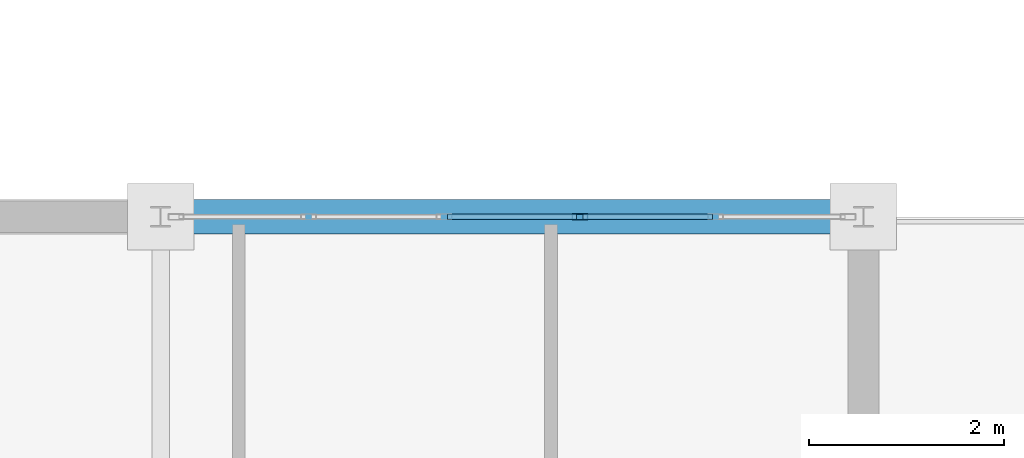
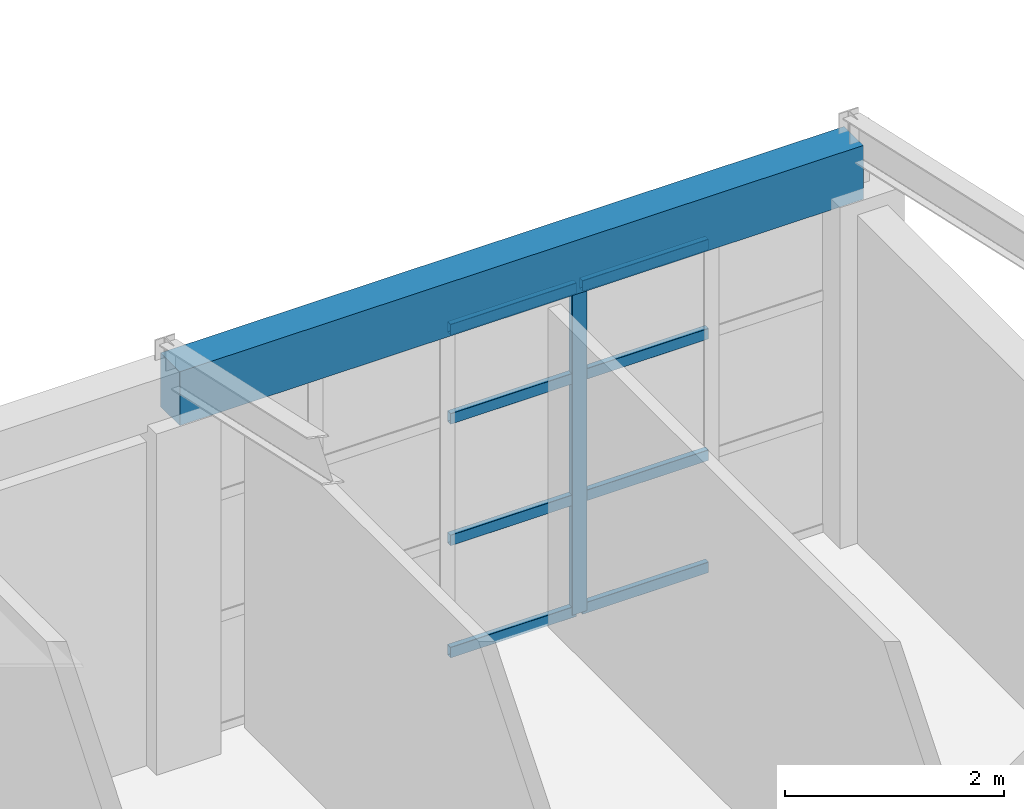
# One storey, part 69 of 101: 9 members, 1 beam, 1 element without a shape of its own.
"""IFC4 building model written with IfcOpenShell, lengths in metres."""

import ifcopenshell
import ifcopenshell.guid

model = None  # the IFC model being written
_history = None  # IfcOwnerHistory: only IFC2X3 demands one
_inside = {}  # id of a spatial element -> (the spatial element, [elements in it])
_under = {}  # id of a project, library or spatial element -> (it, [spatial elements below it])
_declared = {}  # id of a project -> (the project, [libraries it declares])
_typed = {}  # id of a type object -> (the type object, [elements of that type])
_made_of = {}  # id of a material, layer set ... -> (it, [elements and type objects made of it])


def new_model(schema):
    """Start an empty IFC model of exactly this schema.

    Asked for "IFC4X3", IfcOpenShell would pick the latest addendum, in which some entities
    have other attributes; the version numbers below select the first issue.
    IFC2X3 requires an IfcOwnerHistory on every rooted entity: one is made here for all.
    """
    global model, _history
    if schema == "IFC4X3":
        model = ifcopenshell.file(schema_version=(4, 3, 0, 0))
    else:
        model = ifcopenshell.file(schema=schema)
    _inside.clear()
    _under.clear()
    _declared.clear()
    _typed.clear()
    _made_of.clear()
    _history = None
    if model.schema == "IFC2X3":
        org = make("IfcOrganization", Name="unknown")
        user = make(
            "IfcPersonAndOrganization",
            ThePerson=make("IfcPerson", FamilyName="unknown"),
            TheOrganization=org,
        )
        app = make(
            "IfcApplication",
            ApplicationDeveloper=org,
            Version="unknown",
            ApplicationFullName="unknown",
            ApplicationIdentifier="unknown",
        )
        _history = make(
            "IfcOwnerHistory",
            OwningUser=user,
            OwningApplication=app,
            ChangeAction="ADDED",
            CreationDate=0,
        )
    return model


def make(cls, **values):
    """One entity of the class cls with the attributes given. An attribute that is None is left unset."""
    return model.create_entity(
        cls, **{name: value for name, value in values.items() if value is not None}
    )


def rooted(cls, **values):
    """An entity with a GlobalId (a new one), such as an element, a storey or a relation."""
    return make(cls, GlobalId=ifcopenshell.guid.new(), OwnerHistory=_history, **values)


def si_unit(unit_type, name, prefix=None):
    """IfcSIUnit, for example si_unit("LENGTHUNIT", "METRE", prefix="MILLI")."""
    return make("IfcSIUnit", UnitType=unit_type, Prefix=prefix, Name=name)


def assignment(units):
    """IfcUnitAssignment: the units of a project."""
    return None if units is None else make("IfcUnitAssignment", Units=units)


def point(xyz):
    """IfcCartesianPoint."""
    return None if xyz is None else make("IfcCartesianPoint", Coordinates=xyz)


def direction(xyz):
    """IfcDirection."""
    return None if xyz is None else make("IfcDirection", DirectionRatios=xyz)


def frame(location, z_axis=None, x_axis=None):
    """IfcAxis2Placement3D, a coordinate frame: its origin and axes. An axis left out is left unset."""
    return make(
        "IfcAxis2Placement3D",
        Location=point(location),
        Axis=direction(z_axis),
        RefDirection=direction(x_axis),
    )


def frame_2d(location, x_axis=None):
    """IfcAxis2Placement2D, a coordinate frame in the plane: its origin and x axis."""
    return make(
        "IfcAxis2Placement2D", Location=point(location), RefDirection=direction(x_axis)
    )


def origin():
    """The frame at (0, 0, 0) with its axes left unset."""
    return frame((0.0, 0.0, 0.0))


def origin_2d():
    """The frame at (0, 0) in the plane with its x axis left unset."""
    return frame_2d((0.0, 0.0))


def place(relative_to, where):
    """IfcLocalPlacement: puts the frame where relative to a parent placement (None: the world)."""
    return make(
        "IfcLocalPlacement", PlacementRelTo=relative_to, RelativePlacement=where
    )


def context(
    kind, dimensions, precision=None, world=None, true_north=None, identifier=None
):
    """IfcGeometricRepresentationContext, for example the 3D "Model" context."""
    return make(
        "IfcGeometricRepresentationContext",
        ContextIdentifier=identifier,
        ContextType=kind,
        CoordinateSpaceDimension=dimensions,
        Precision=precision,
        WorldCoordinateSystem=world,
        TrueNorth=true_north,
    )


def subcontext(parent, identifier, kind, view, scale=None):
    """IfcGeometricRepresentationSubContext, for example "Body" below "Model"."""
    return make(
        "IfcGeometricRepresentationSubContext",
        ContextIdentifier=identifier,
        ContextType=kind,
        ParentContext=parent,
        TargetScale=scale,
        TargetView=view,
    )


def project(units=None, contexts=None):
    """IfcProject with its units and contexts."""
    return rooted(
        "IfcProject",
        Name="project",
        RepresentationContexts=contexts,
        UnitsInContext=assignment(units),
    )


def spatial(cls, under=None, at=None, **own):
    """A site, building, storey or space (cls), placed at a placement, below another one or the project."""
    s = rooted(cls, ObjectPlacement=at, **own)
    if under is not None:
        _under.setdefault(under.id(), (under, []))[1].append(s)
    return s


def profile(cls, at=None, kind="AREA", **sizes):
    """A parametric profile (cls). Its sizes go by their IFC names, for example OverallWidth=200.0."""
    return make(cls, ProfileType=kind, Position=at, **sizes)


def rectangle(**sizes):
    """IfcRectangleProfileDef."""
    return profile("IfcRectangleProfileDef", **sizes)


def hollow_rectangle(**sizes):
    """IfcRectangleHollowProfileDef."""
    return profile("IfcRectangleHollowProfileDef", **sizes)


def extrude(swept, where, along, depth):
    """IfcExtrudedAreaSolid: the profile swept, set in the frame where, extruded along a direction by depth."""
    return make(
        "IfcExtrudedAreaSolid",
        SweptArea=swept,
        Position=where,
        ExtrudedDirection=direction(along),
        Depth=depth,
    )


def shape(context_of_items, identifier, shape_type, items):
    """IfcShapeRepresentation: the items that make up one representation, for example the "Body"."""
    return make(
        "IfcShapeRepresentation",
        ContextOfItems=context_of_items,
        RepresentationIdentifier=identifier,
        RepresentationType=shape_type,
        Items=items,
    )


def material(Name=None, Category=None):
    """IfcMaterial."""
    return make("IfcMaterial", Name=Name, Category=Category)


def layer(
    of_material, thickness, ventilated=None, Name=None, Category=None, Priority=None
):
    """IfcMaterialLayer: one layer of a wall or slab, of a material (None: an air gap)."""
    return make(
        "IfcMaterialLayer",
        Material=of_material,
        LayerThickness=thickness,
        IsVentilated=ventilated,
        Name=Name,
        Category=Category,
        Priority=Priority,
    )


def layer_set(layers, Name=None):
    """IfcMaterialLayerSet."""
    return make("IfcMaterialLayerSet", MaterialLayers=layers, LayerSetName=Name)


def material_profile(
    of_material, cross_section, Name=None, Category=None, Priority=None
):
    """IfcMaterialProfile: a cross section and its material."""
    return make(
        "IfcMaterialProfile",
        Name=Name,
        Material=of_material,
        Profile=cross_section,
        Priority=Priority,
        Category=Category,
    )


def profile_set(profiles, Name=None, composite=None):
    """IfcMaterialProfileSet."""
    return make(
        "IfcMaterialProfileSet",
        Name=Name,
        MaterialProfiles=profiles,
        CompositeProfile=composite,
    )


def made_of(thing, what):
    """Note that an element or type object is made of a material, layer set ...; save() writes the relation."""
    if what is not None:
        _made_of.setdefault(what.id(), (what, []))[1].append(thing)
    return thing


def type_object(cls, material=None, **own):
    """A type object (cls), such as IfcWallType, which elements share."""
    return made_of(rooted(cls, **own), material)


def element(
    cls,
    number,
    at=None,
    inside=None,
    cuts=None,
    type_object=None,
    material=None,
    context=None,
    identifier="Body",
    shape_type=None,
    held_by="IfcProductDefinitionShape",
    body=None,
    shapes=None,
    **own,
):
    """One element of the class cls, such as IfcWall. Its Tag is "e" and its number.

    at: its placement. inside: the storey or other place that contains it. cuts: it is an
    opening in that element (IfcRelVoidsElement). A single representation is given by context,
    identifier, shape_type and body (its items); several are given by shapes. held_by: the class
    of the entity that holds the representations. save() writes the other relations.
    """
    e = rooted(cls, Tag="e%d" % number, ObjectPlacement=at, **own)
    if body is not None:
        shapes = [shape(context, identifier, shape_type, body)]
    if shapes is not None:
        e.Representation = make(held_by, Representations=shapes)
    if inside is not None:
        _inside.setdefault(inside.id(), (inside, []))[1].append(e)
    if cuts is not None:
        rooted(
            "IfcRelVoidsElement", RelatingBuildingElement=cuts, RelatedOpeningElement=e
        )
    if type_object is not None:
        _typed.setdefault(type_object.id(), (type_object, []))[1].append(e)
    return made_of(e, material)


def aggregate(whole, parts):
    """IfcRelAggregates: a whole, such as a stair, and the parts it consists of."""
    return rooted("IfcRelAggregates", RelatingObject=whole, RelatedObjects=parts)


def save(model, path):
    """Write the relations noted so far, then the file.

    IfcRelAggregates (storeys below a building ...), IfcRelContainedInSpatialStructure (elements
    in a storey), IfcRelDefinesByType, IfcRelAssociatesMaterial and IfcRelDeclares: one each for
    every whole, place, type object, material and project.
    """
    for whole, parts in _under.values():
        aggregate(whole, parts)
    for where, things in _inside.values():
        rooted(
            "IfcRelContainedInSpatialStructure",
            RelatedElements=things,
            RelatingStructure=where,
        )
    for kind, things in _typed.values():
        rooted("IfcRelDefinesByType", RelatedObjects=things, RelatingType=kind)
    for what, things in _made_of.values():
        rooted("IfcRelAssociatesMaterial", RelatedObjects=things, RelatingMaterial=what)
    for by, libraries in _declared.values():
        rooted("IfcRelDeclares", RelatingContext=by, RelatedDefinitions=libraries)
    model.write(path)


model = new_model("IFC4")

# Units and contexts
model_context = context("Model", 3, precision=1e-05, world=origin(), true_north=direction((0.0, 1.0)))
body_context = subcontext(model_context, "Body", "Model", "MODEL_VIEW")
ifc_project = project(units=[si_unit("LENGTHUNIT", "METRE"), si_unit("AREAUNIT", "SQUARE_METRE"), si_unit("VOLUMEUNIT", "CUBIC_METRE"), si_unit("PLANEANGLEUNIT", "RADIAN"), si_unit("MASSUNIT", "GRAM", prefix="KILO")], contexts=[model_context])

# Site, building, storey
site_placement = place(None, origin())
site = spatial("IfcSite", under=ifc_project, at=site_placement, CompositionType="ELEMENT")
building_placement = place(site_placement, origin())
building = spatial("IfcBuilding", under=site, at=building_placement, Name="Kemerveld Promenade Tramway Depot", CompositionType="ELEMENT")
storey_placement = place(building_placement, frame((0.0, 0.0, 9.89990234375)))
storey = spatial("IfcBuildingStorey", under=building, at=storey_placement, Name="L02", CompositionType="ELEMENT", Elevation=9.89990234375)

# Beam
ifc_material_1 = material(Name="Concrete C40/50", Category="concrete")
ifc_material_profile_1 = material_profile(ifc_material_1, rectangle(XDim=0.35009765625, YDim=0.60009765625, at=origin_2d()), Name="RC-BM-350x600")
ifc_profile_set_1 = profile_set([ifc_material_profile_1], Name="Concrete C40/50")
beam_type = type_object("IfcBeamType", Name="BM-RC4", PredefinedType="BEAM", material=ifc_profile_set_1)
beam_placement = place(storey_placement, frame((122.39990234375, 28.800048828125, 3.97509765625), z_axis=(1.0, 0.0, 0.0), x_axis=(0.0, 1.0, 0.0)))
element("IfcBeam", 1, at=beam_placement, inside=storey, type_object=beam_type, Name="BMX-L02-18-19-E", PredefinedType="BEAM", context=body_context, shape_type="SweptSolid", body=[
    extrude(rectangle(XDim=0.35009765625, YDim=0.60009765625, at=origin_2d()), origin(), (0.0, 0.0, 1.0), 7.2001953125),
])

# Curtain wall, members
ifc_material_2 = material(Name="Bronze anodised aluminium and solar glass", Category="aluminium")
ifc_layer = layer(ifc_material_2, 0.159912109375)
ifc_layer_set = layer_set([ifc_layer], Name="CW-SYS-13")
curtain_wall_type = type_object("IfcCurtainWallType", Name="CW-SYS-13", PredefinedType="USERDEFINED", material=ifc_layer_set)
curtain_wall_placement = place(storey_placement, origin())
curtain_wall = element("IfcCurtainWall", 2, at=curtain_wall_placement, inside=storey, type_object=curtain_wall_type, Name="CW-L02-V4N-10", ObjectType="GLAZED_CURTAIN_WALL", PredefinedType="USERDEFINED")
ifc_material_3 = material(Name="Bronze anodised aluminium", Category="aluminium")
ifc_material_profile_2 = material_profile(ifc_material_3, hollow_rectangle(XDim=0.06494140625, YDim=0.159912109375, WallThickness=0.00390625, InnerFilletRadius=0.001953125, OuterFilletRadius=0.00390625, at=origin_2d()), Name="CW-MUL-160x65")
ifc_profile_set_2 = profile_set([ifc_material_profile_2], Name="Bronze anodised aluminium")
member_type_1 = type_object("IfcMemberType", Name="CW-MUL-A", PredefinedType="MULLION", material=ifc_profile_set_2)
member_1_placement = place(storey_placement, frame((126.695068359375, 28.800048828125, 0.0), z_axis=(0.0, 0.0, 1.0), x_axis=(0.0, 1.0, 0.0)))
member_1 = element("IfcMember", 3, at=member_1_placement, type_object=member_type_1, Name="CW13 mullion 4", PredefinedType="MULLION", context=body_context, shape_type="SweptSolid", body=[
    extrude(hollow_rectangle(XDim=0.06494140625, YDim=0.159912109375, WallThickness=0.00390625, InnerFilletRadius=0.001953125, OuterFilletRadius=0.00390625, at=origin_2d()), origin(), (0.0, 0.0, 1.0), 3.655029296875),
])
ifc_material_profile_3 = material_profile(ifc_material_3, hollow_rectangle(XDim=0.06005859375, YDim=0.1201171875, WallThickness=0.00390625, InnerFilletRadius=0.001953125, OuterFilletRadius=0.00390625, at=origin_2d()), Name="CW-TRN-120x60")
ifc_profile_set_3 = profile_set([ifc_material_profile_3], Name="Bronze anodised aluminium")
member_type_2 = type_object("IfcMemberType", Name="CW-TRN-A", PredefinedType="USERDEFINED", material=ifc_profile_set_3)
member_2_placement = place(storey_placement, frame((125.33740234375, 28.800048828125, 0.030029296875), z_axis=(1.0, 0.0, 0.0), x_axis=(0.0, 1.0, 0.0)))
member_2 = element("IfcMember", 4, at=member_2_placement, type_object=member_type_2, Name="CW13 transom 3.1", ObjectType="TRANSOM", PredefinedType="USERDEFINED", context=body_context, shape_type="SweptSolid", body=[
    extrude(hollow_rectangle(XDim=0.06005859375, YDim=0.1201171875, WallThickness=0.00390625, InnerFilletRadius=0.001953125, OuterFilletRadius=0.00390625, at=origin_2d()), origin(), (0.0, 0.0, 1.0), 1.3251953125),
])
member_3_placement = place(storey_placement, frame((125.33740234375, 28.800048828125, 1.279052734375), z_axis=(1.0, 0.0, 0.0), x_axis=(0.0, 1.0, 0.0)))
member_3 = element("IfcMember", 5, at=member_3_placement, type_object=member_type_2, Name="CW13 transom 3.2", ObjectType="TRANSOM", PredefinedType="USERDEFINED", context=body_context, shape_type="SweptSolid", body=[
    extrude(hollow_rectangle(XDim=0.06005859375, YDim=0.1201171875, WallThickness=0.00390625, InnerFilletRadius=0.001953125, OuterFilletRadius=0.00390625, at=origin_2d()), origin(), (0.0, 0.0, 1.0), 1.3251953125),
])
member_4_placement = place(storey_placement, frame((125.33740234375, 28.800048828125, 2.632080078125), z_axis=(1.0, 0.0, 0.0), x_axis=(0.0, 1.0, 0.0)))
member_4 = element("IfcMember", 6, at=member_4_placement, type_object=member_type_2, Name="CW13 transom 3.3", ObjectType="TRANSOM", PredefinedType="USERDEFINED", context=body_context, shape_type="SweptSolid", body=[
    extrude(hollow_rectangle(XDim=0.06005859375, YDim=0.1201171875, WallThickness=0.00390625, InnerFilletRadius=0.001953125, OuterFilletRadius=0.00390625, at=origin_2d()), origin(), (0.0, 0.0, 1.0), 1.3251953125),
])
member_5_placement = place(storey_placement, frame((125.33740234375, 28.800048828125, 3.625), z_axis=(1.0, 0.0, 0.0), x_axis=(0.0, 1.0, 0.0)))
member_5 = element("IfcMember", 7, at=member_5_placement, type_object=member_type_2, Name="CW13 transom 3.4", ObjectType="TRANSOM", PredefinedType="USERDEFINED", context=body_context, shape_type="SweptSolid", body=[
    extrude(hollow_rectangle(XDim=0.06005859375, YDim=0.1201171875, WallThickness=0.00390625, InnerFilletRadius=0.001953125, OuterFilletRadius=0.00390625, at=origin_2d()), origin(), (0.0, 0.0, 1.0), 1.3251953125),
])
member_6_placement = place(storey_placement, frame((126.7275390625, 28.800048828125, 0.030029296875), z_axis=(1.0, 0.0, 0.0), x_axis=(0.0, 1.0, 0.0)))
member_6 = element("IfcMember", 8, at=member_6_placement, type_object=member_type_2, Name="CW13 transom 4.1", ObjectType="TRANSOM", PredefinedType="USERDEFINED", context=body_context, shape_type="SweptSolid", body=[
    extrude(hollow_rectangle(XDim=0.06005859375, YDim=0.1201171875, WallThickness=0.00390625, InnerFilletRadius=0.001953125, OuterFilletRadius=0.00390625, at=origin_2d()), origin(), (0.0, 0.0, 1.0), 1.3251953125),
])
member_7_placement = place(storey_placement, frame((126.7275390625, 28.800048828125, 1.279052734375), z_axis=(1.0, 0.0, 0.0), x_axis=(0.0, 1.0, 0.0)))
member_7 = element("IfcMember", 9, at=member_7_placement, type_object=member_type_2, Name="CW13 transom 4.2", ObjectType="TRANSOM", PredefinedType="USERDEFINED", context=body_context, shape_type="SweptSolid", body=[
    extrude(hollow_rectangle(XDim=0.06005859375, YDim=0.1201171875, WallThickness=0.00390625, InnerFilletRadius=0.001953125, OuterFilletRadius=0.00390625, at=origin_2d()), origin(), (0.0, 0.0, 1.0), 1.3251953125),
])
member_8_placement = place(storey_placement, frame((126.7275390625, 28.800048828125, 2.632080078125), z_axis=(1.0, 0.0, 0.0), x_axis=(0.0, 1.0, 0.0)))
member_8 = element("IfcMember", 10, at=member_8_placement, type_object=member_type_2, Name="CW13 transom 4.3", ObjectType="TRANSOM", PredefinedType="USERDEFINED", context=body_context, shape_type="SweptSolid", body=[
    extrude(hollow_rectangle(XDim=0.06005859375, YDim=0.1201171875, WallThickness=0.00390625, InnerFilletRadius=0.001953125, OuterFilletRadius=0.00390625, at=origin_2d()), origin(), (0.0, 0.0, 1.0), 1.3251953125),
])
member_9_placement = place(storey_placement, frame((126.7275390625, 28.800048828125, 3.625), z_axis=(1.0, 0.0, 0.0), x_axis=(0.0, 1.0, 0.0)))
member_9 = element("IfcMember", 11, at=member_9_placement, type_object=member_type_2, Name="CW13 transom 4.4", ObjectType="TRANSOM", PredefinedType="USERDEFINED", context=body_context, shape_type="SweptSolid", body=[
    extrude(hollow_rectangle(XDim=0.06005859375, YDim=0.1201171875, WallThickness=0.00390625, InnerFilletRadius=0.001953125, OuterFilletRadius=0.00390625, at=origin_2d()), origin(), (0.0, 0.0, 1.0), 1.3251953125),
])
aggregate(curtain_wall, [member_1, member_2, member_3, member_4, member_5, member_6, member_7, member_8, member_9])

save(model, "model.ifc")
